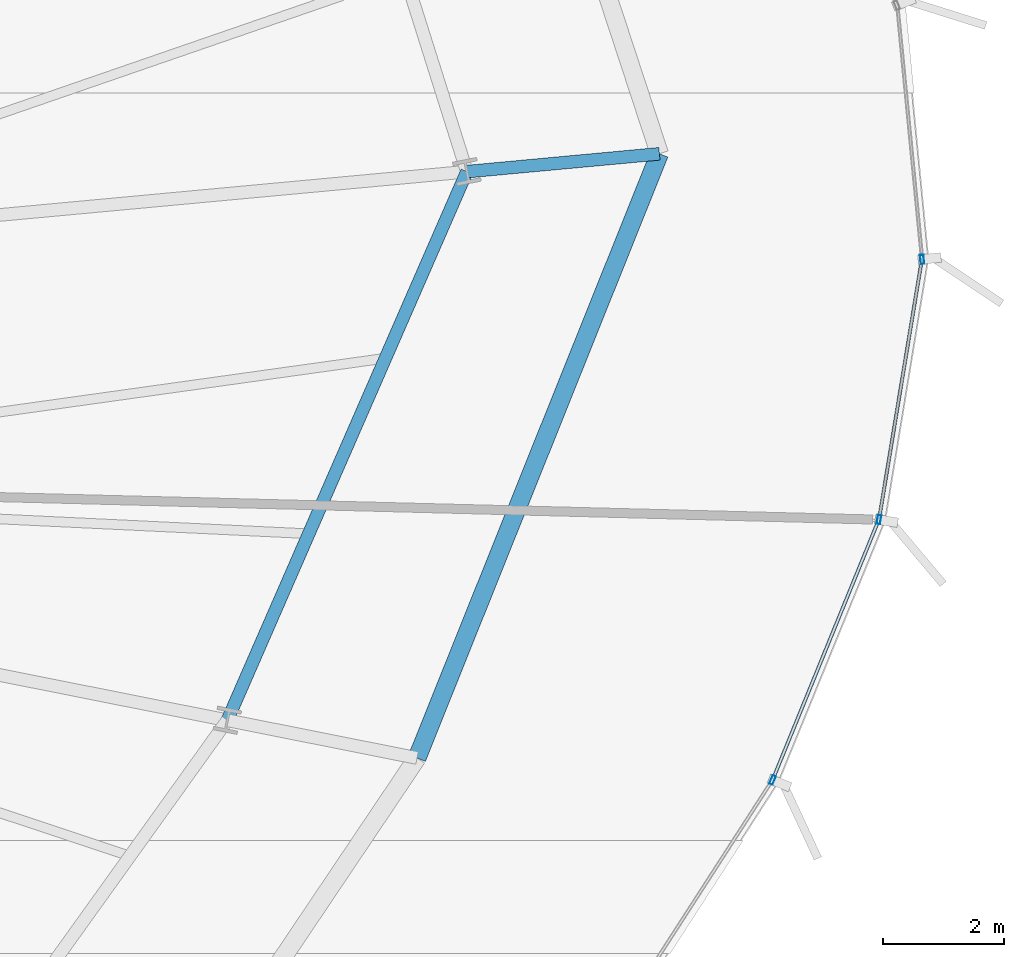
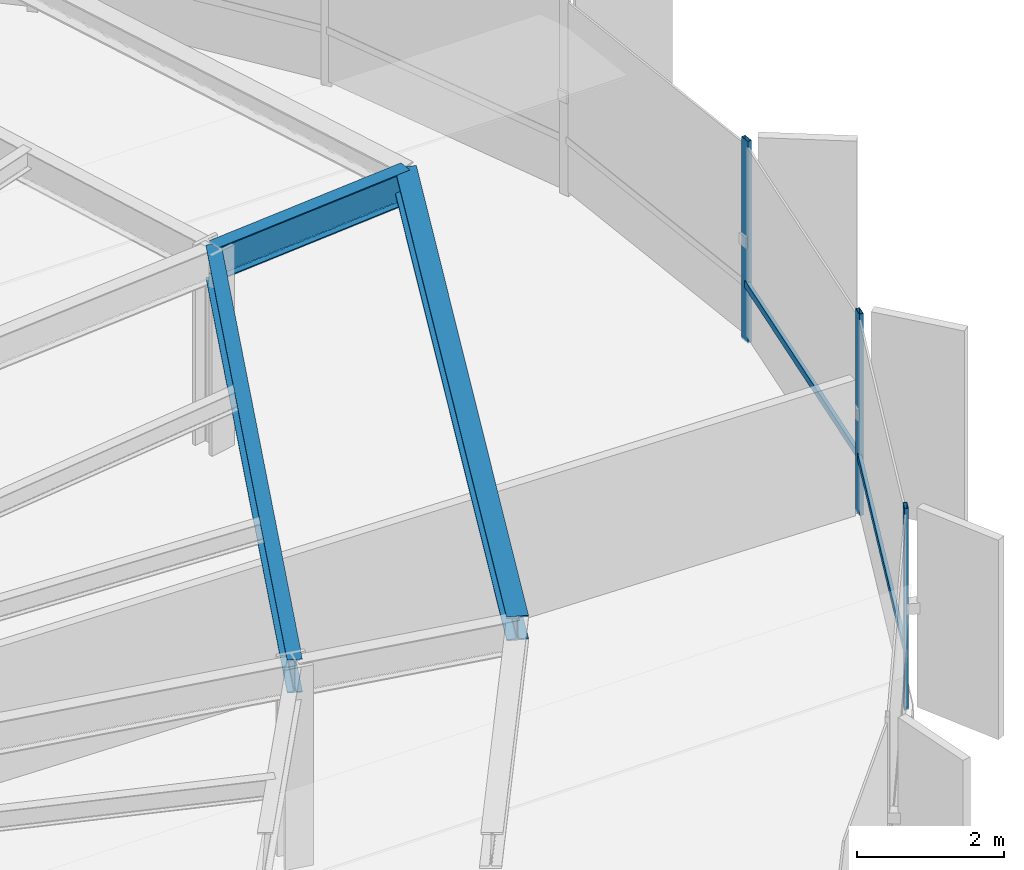
# One storey, part 16 of 35: 5 members, 3 beams, 1 element without a shape of its own.
"""IFC4 building model written with IfcOpenShell, lengths in metres."""

from ifc_helpers import new_model, si_unit, direction, frame, origin, origin_2d, place, context, subcontext, project, spatial, hollow_rectangle, i_section, extrude, source, transform, mapped, material, layer, layer_set, material_profile, profile_set, type_object, element, aggregate, save


model = new_model("IFC4")

# Units and contexts
model_context = context("Model", 3, precision=1e-05, world=origin(), true_north=direction((0.0, 1.0)))
body_context = subcontext(model_context, "Body", "Model", "MODEL_VIEW")
ifc_project = project(units=[si_unit("LENGTHUNIT", "METRE"), si_unit("AREAUNIT", "SQUARE_METRE"), si_unit("VOLUMEUNIT", "CUBIC_METRE"), si_unit("PLANEANGLEUNIT", "RADIAN"), si_unit("MASSUNIT", "GRAM", prefix="KILO"), si_unit("THERMODYNAMICTEMPERATUREUNIT", "KELVIN")], contexts=[model_context])

# Site, building, storey
site_placement = place(None, origin())
site = spatial("IfcSite", under=ifc_project, at=site_placement, CompositionType="ELEMENT")
building_placement = place(site_placement, origin())
building = spatial("IfcBuilding", under=site, at=building_placement, Name="Kethvar Cultural Tower", CompositionType="ELEMENT")
storey_placement = place(building_placement, frame((0.0, 0.0, 89.199951171875)))
storey = spatial("IfcBuildingStorey", under=building, at=storey_placement, Name="L21", CompositionType="ELEMENT", Elevation=89.199951171875)

# Beams
ifc_material_1 = material(Name="Steel S355J2", Category="steel")
ifc_material_profile_1 = material_profile(ifc_material_1, i_section(OverallWidth=0.2099609375, OverallDepth=0.550048828125, WebThickness=0.010986328125, FlangeThickness=0.01708984375, FilletRadius=0.02392578125, at=origin_2d()), Name="Steel S355J2 — IPE550")
ifc_profile_set_1 = profile_set([ifc_material_profile_1], Name="Steel S355J2 — IPE550")
beam_type_1 = type_object("IfcBeamType", Name="BM-IPE550", PredefinedType="BEAM", material=ifc_profile_set_1)
shared_shape_1 = source(origin(), body_context, "Body", "SweptSolid", [
    extrude(i_section(OverallWidth=0.2099609375, OverallDepth=0.550048828125, WebThickness=0.010986328125, FlangeThickness=0.01708984375, FilletRadius=0.02392578125, at=origin_2d()), origin(), (0.0, 0.0, 1.0), 3.199951171875),
])
beam_1_placement = place(storey_placement, frame((71.6025390625, 32.7333984375, 3.072998046875), z_axis=(0.995729641608, 0.092317283453, 0.0), x_axis=(-0.092317283453, 0.995729641608, 0.0)))
element("IfcBeam", 1, at=beam_1_placement, inside=storey, type_object=beam_type_1, Name="L21 Perimeter Cantilever Beam RC-01", PredefinedType="BEAM", context=body_context, shape_type="MappedRepresentation", body=[
    mapped(shared_shape_1, transform((0.0, 0.0, 0.0), scale=1.0)),
])
shared_shape_2 = source(origin(), body_context, "Body", "SweptSolid", [
    extrude(i_section(OverallWidth=0.2099609375, OverallDepth=0.550048828125, WebThickness=0.010986328125, FlangeThickness=0.01708984375, FilletRadius=0.02392578125, at=origin_2d()), origin(), (0.0, 0.0, 1.0), 9.90625),
])
beam_2_placement = place(storey_placement, frame((67.638671875, 23.65478515625, 3.072998046875), z_axis=(0.400138679026, 0.916454602011, 0.0), x_axis=(-0.916454602011, 0.400138679026, 0.0)))
element("IfcBeam", 2, at=beam_2_placement, inside=storey, type_object=beam_type_1, Name="L21 Column Ring Tie Beam CR-16", PredefinedType="BEAM", context=body_context, shape_type="MappedRepresentation", body=[
    mapped(shared_shape_2, transform((0.0, 0.0, 0.0), scale=1.0)),
])
ifc_material_profile_2 = material_profile(ifc_material_1, i_section(OverallWidth=0.300048828125, OverallDepth=0.39990234375, WebThickness=0.013427734375, FlangeThickness=0.02392578125, FilletRadius=0.027099609375, at=origin_2d()), Name="Steel S355J2 — HEB400")
ifc_profile_set_2 = profile_set([ifc_material_profile_2], Name="Steel S355J2 — HEB400")
beam_type_2 = type_object("IfcBeamType", Name="BM-SP400", PredefinedType="SPANDREL", material=ifc_profile_set_2)
shared_shape_3 = source(origin(), body_context, "Body", "SweptSolid", [
    extrude(i_section(OverallWidth=0.300048828125, OverallDepth=0.39990234375, WebThickness=0.013427734375, FlangeThickness=0.02392578125, FilletRadius=0.027099609375, at=origin_2d()), origin(), (0.0, 0.0, 1.0), 10.773193359375),
])
beam_3_placement = place(storey_placement, frame((70.777099609375, 23.030517578125, 3.14794921875), z_axis=(0.372382905959, 0.928079183771, 0.0), x_axis=(-0.928079183771, 0.372382905959, 0.0)))
element("IfcBeam", 3, at=beam_3_placement, inside=storey, type_object=beam_type_2, Name="L21 Perimeter Spandrel Beam SP-16", PredefinedType="SPANDREL", context=body_context, shape_type="MappedRepresentation", body=[
    mapped(shared_shape_3, transform((0.0, 0.0, 0.0), scale=1.0)),
])

# Curtain wall, members
ifc_material_2 = material(Name="Aluminium 6063-T6", Category="aluminium")
ifc_layer = layer(ifc_material_2, 0.179931640625, Name="Aluminium 6063-T6", Category="aluminium")
ifc_layer_set = layer_set([ifc_layer], Name="Aluminium 6063-T6 (180 mm)")
curtain_wall_type = type_object("IfcCurtainWallType", Name="CW-SYS-03-Z2", PredefinedType="NOTDEFINED", material=ifc_layer_set)
curtain_wall_placement = place(storey_placement, origin())
curtain_wall = element("IfcCurtainWall", 4, at=curtain_wall_placement, inside=storey, type_object=curtain_wall_type, Name="L21 Curtain Wall Run 06", PredefinedType="NOTDEFINED")
ifc_material_profile_3 = material_profile(ifc_material_2, hollow_rectangle(XDim=0.06005859375, YDim=0.14990234375, WallThickness=0.0048828125, at=origin_2d()), Name="Aluminium 6063-T6 — RHS150x60x5")
ifc_profile_set_3 = profile_set([ifc_material_profile_3], Name="Aluminium 6063-T6 — RHS150x60x5")
member_type_1 = type_object("IfcMemberType", Name="CW-SYS-03-Z2-MUL", PredefinedType="MULLION", material=ifc_profile_set_3)
shared_shape_4 = source(origin(), body_context, "Body", "SweptSolid", [
    extrude(hollow_rectangle(XDim=0.06005859375, YDim=0.14990234375, WallThickness=0.0048828125, at=origin_2d()), origin(), (0.0, 0.0, 1.0), 3.35009765625),
])
member_1_placement = place(storey_placement, frame((76.6611328125, 22.665771484375, 0.0), z_axis=(0.0, 0.0, 1.0), x_axis=(-0.925890367238, 0.37779230783, 0.0)))
member_1 = element("IfcMember", 5, at=member_1_placement, type_object=member_type_1, Name="CW-L21-R06 Mullion 3", PredefinedType="MULLION", context=body_context, shape_type="MappedRepresentation", body=[
    mapped(shared_shape_4, transform((0.0, 0.0, 0.0), scale=1.0)),
])
member_2_placement = place(storey_placement, frame((78.42236328125, 26.974609375, 0.0), z_axis=(0.0, 0.0, 1.0), x_axis=(-0.986705806722, 0.162516617553, 0.0)))
member_2 = element("IfcMember", 6, at=member_2_placement, type_object=member_type_1, Name="CW-L21-R06 Mullion 4", PredefinedType="MULLION", context=body_context, shape_type="MappedRepresentation", body=[
    mapped(shared_shape_4, transform((0.0, 0.0, 0.0), scale=1.0)),
])
member_3_placement = place(storey_placement, frame((79.135986328125, 31.28271484375, 0.0), z_axis=(0.0, 0.0, 1.0), x_axis=(-0.995258007441, -0.09727023504, 0.0)))
member_3 = element("IfcMember", 7, at=member_3_placement, type_object=member_type_1, Name="CW-L21-R06 Mullion 5", PredefinedType="MULLION", context=body_context, shape_type="MappedRepresentation", body=[
    mapped(shared_shape_4, transform((0.0, 0.0, 0.0), scale=1.0)),
])
ifc_material_profile_4 = material_profile(ifc_material_2, hollow_rectangle(XDim=0.054931640625, YDim=0.1201171875, WallThickness=0.00390625, at=origin_2d()), Name="Aluminium 6063-T6 — RHS120x55x4")
ifc_profile_set_4 = profile_set([ifc_material_profile_4], Name="Aluminium 6063-T6 — RHS120x55x4")
member_type_2 = type_object("IfcMemberType", Name="CW-SYS-03-Z2-TRN", PredefinedType="USERDEFINED", material=ifc_profile_set_4)
shared_shape_5 = source(origin(), body_context, "Body", "SweptSolid", [
    extrude(hollow_rectangle(XDim=0.054931640625, YDim=0.1201171875, WallThickness=0.00390625, at=origin_2d()), origin(), (0.0, 0.0, 1.0), 4.59423828125),
])
member_4_placement = place(storey_placement, frame((76.677490234375, 22.705810546875, 0.949951171875), z_axis=(0.377786366057, 0.925892791646, 0.0), x_axis=(-0.925892791646, 0.377786366057, 0.0)))
member_4 = element("IfcMember", 8, at=member_4_placement, type_object=member_type_2, Name="CW-L21-R06 Transom 3", ObjectType="TRANSOM", PredefinedType="USERDEFINED", context=body_context, shape_type="MappedRepresentation", body=[
    mapped(shared_shape_5, transform((0.0, 0.0, 0.0), scale=1.0)),
])
shared_shape_6 = source(origin(), body_context, "Body", "SweptSolid", [
    extrude(hollow_rectangle(XDim=0.054931640625, YDim=0.1201171875, WallThickness=0.00390625, at=origin_2d()), origin(), (0.0, 0.0, 1.0), 4.31005859375),
])
member_5_placement = place(storey_placement, frame((78.429443359375, 27.017333984375, 0.949951171875), z_axis=(0.162515611398, 0.986705972442, 0.0), x_axis=(-0.986705972442, 0.162515611398, 0.0)))
member_5 = element("IfcMember", 9, at=member_5_placement, type_object=member_type_2, Name="CW-L21-R06 Transom 4", ObjectType="TRANSOM", PredefinedType="USERDEFINED", context=body_context, shape_type="MappedRepresentation", body=[
    mapped(shared_shape_6, transform((0.0, 0.0, 0.0), scale=1.0)),
])
aggregate(curtain_wall, [member_1, member_2, member_3, member_4, member_5])

save(model, "model.ifc")
